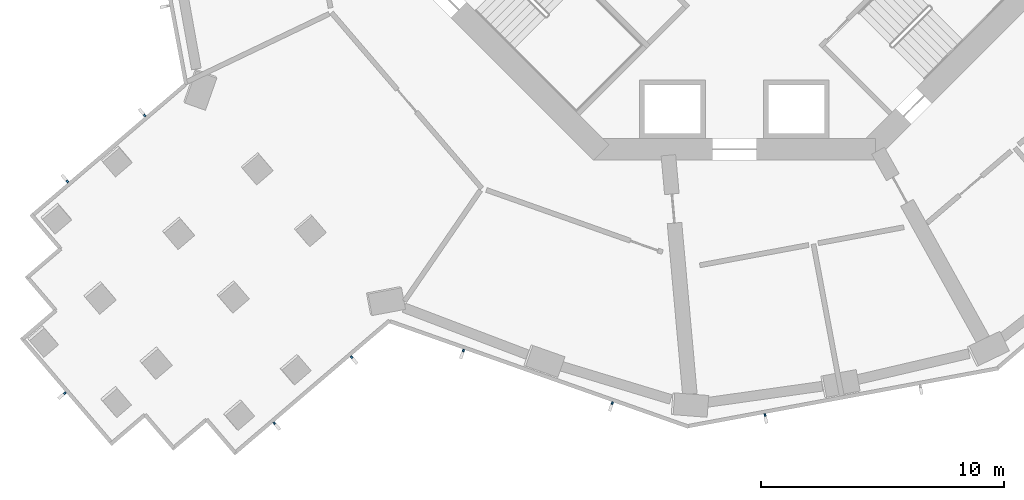
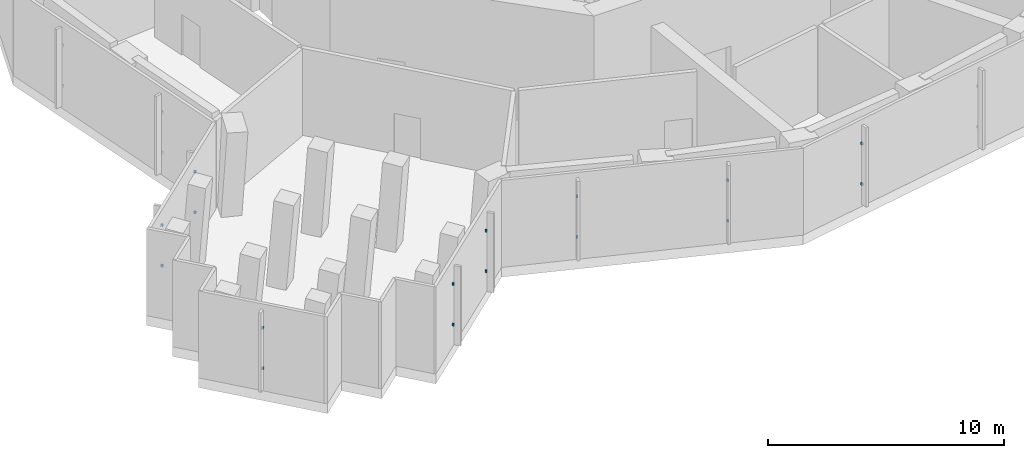
# One storey, part 6 of 20: 16 discrete accessories.
"""IFC4 building model written with IfcOpenShell, lengths in metres."""

import ifcopenshell
import ifcopenshell.guid

model = None  # the IFC model being written
_history = None  # IfcOwnerHistory: only IFC2X3 demands one
_inside = {}  # id of a spatial element -> (the spatial element, [elements in it])
_under = {}  # id of a project, library or spatial element -> (it, [spatial elements below it])
_declared = {}  # id of a project -> (the project, [libraries it declares])
_typed = {}  # id of a type object -> (the type object, [elements of that type])
_made_of = {}  # id of a material, layer set ... -> (it, [elements and type objects made of it])


def new_model(schema):
    """Start an empty IFC model of exactly this schema.

    Asked for "IFC4X3", IfcOpenShell would pick the latest addendum, in which some entities
    have other attributes; the version numbers below select the first issue.
    IFC2X3 requires an IfcOwnerHistory on every rooted entity: one is made here for all.
    """
    global model, _history
    if schema == "IFC4X3":
        model = ifcopenshell.file(schema_version=(4, 3, 0, 0))
    else:
        model = ifcopenshell.file(schema=schema)
    _inside.clear()
    _under.clear()
    _declared.clear()
    _typed.clear()
    _made_of.clear()
    _history = None
    if model.schema == "IFC2X3":
        org = make("IfcOrganization", Name="unknown")
        user = make(
            "IfcPersonAndOrganization",
            ThePerson=make("IfcPerson", FamilyName="unknown"),
            TheOrganization=org,
        )
        app = make(
            "IfcApplication",
            ApplicationDeveloper=org,
            Version="unknown",
            ApplicationFullName="unknown",
            ApplicationIdentifier="unknown",
        )
        _history = make(
            "IfcOwnerHistory",
            OwningUser=user,
            OwningApplication=app,
            ChangeAction="ADDED",
            CreationDate=0,
        )
    return model


def make(cls, **values):
    """One entity of the class cls with the attributes given. An attribute that is None is left unset."""
    return model.create_entity(
        cls, **{name: value for name, value in values.items() if value is not None}
    )


def rooted(cls, **values):
    """An entity with a GlobalId (a new one), such as an element, a storey or a relation."""
    return make(cls, GlobalId=ifcopenshell.guid.new(), OwnerHistory=_history, **values)


def si_unit(unit_type, name, prefix=None):
    """IfcSIUnit, for example si_unit("LENGTHUNIT", "METRE", prefix="MILLI")."""
    return make("IfcSIUnit", UnitType=unit_type, Prefix=prefix, Name=name)


def assignment(units):
    """IfcUnitAssignment: the units of a project."""
    return None if units is None else make("IfcUnitAssignment", Units=units)


def point(xyz):
    """IfcCartesianPoint."""
    return None if xyz is None else make("IfcCartesianPoint", Coordinates=xyz)


def direction(xyz):
    """IfcDirection."""
    return None if xyz is None else make("IfcDirection", DirectionRatios=xyz)


def frame(location, z_axis=None, x_axis=None):
    """IfcAxis2Placement3D, a coordinate frame: its origin and axes. An axis left out is left unset."""
    return make(
        "IfcAxis2Placement3D",
        Location=point(location),
        Axis=direction(z_axis),
        RefDirection=direction(x_axis),
    )


def frame_2d(location, x_axis=None):
    """IfcAxis2Placement2D, a coordinate frame in the plane: its origin and x axis."""
    return make(
        "IfcAxis2Placement2D", Location=point(location), RefDirection=direction(x_axis)
    )


def origin():
    """The frame at (0, 0, 0) with its axes left unset."""
    return frame((0.0, 0.0, 0.0))


def origin_2d():
    """The frame at (0, 0) in the plane with its x axis left unset."""
    return frame_2d((0.0, 0.0))


def place(relative_to, where):
    """IfcLocalPlacement: puts the frame where relative to a parent placement (None: the world)."""
    return make(
        "IfcLocalPlacement", PlacementRelTo=relative_to, RelativePlacement=where
    )


def context(
    kind, dimensions, precision=None, world=None, true_north=None, identifier=None
):
    """IfcGeometricRepresentationContext, for example the 3D "Model" context."""
    return make(
        "IfcGeometricRepresentationContext",
        ContextIdentifier=identifier,
        ContextType=kind,
        CoordinateSpaceDimension=dimensions,
        Precision=precision,
        WorldCoordinateSystem=world,
        TrueNorth=true_north,
    )


def subcontext(parent, identifier, kind, view, scale=None):
    """IfcGeometricRepresentationSubContext, for example "Body" below "Model"."""
    return make(
        "IfcGeometricRepresentationSubContext",
        ContextIdentifier=identifier,
        ContextType=kind,
        ParentContext=parent,
        TargetScale=scale,
        TargetView=view,
    )


def project(units=None, contexts=None):
    """IfcProject with its units and contexts."""
    return rooted(
        "IfcProject",
        Name="project",
        RepresentationContexts=contexts,
        UnitsInContext=assignment(units),
    )


def spatial(cls, under=None, at=None, **own):
    """A site, building, storey or space (cls), placed at a placement, below another one or the project."""
    s = rooted(cls, ObjectPlacement=at, **own)
    if under is not None:
        _under.setdefault(under.id(), (under, []))[1].append(s)
    return s


def profile(cls, at=None, kind="AREA", **sizes):
    """A parametric profile (cls). Its sizes go by their IFC names, for example OverallWidth=200.0."""
    return make(cls, ProfileType=kind, Position=at, **sizes)


def rectangle(**sizes):
    """IfcRectangleProfileDef."""
    return profile("IfcRectangleProfileDef", **sizes)


def extrude(swept, where, along, depth):
    """IfcExtrudedAreaSolid: the profile swept, set in the frame where, extruded along a direction by depth."""
    return make(
        "IfcExtrudedAreaSolid",
        SweptArea=swept,
        Position=where,
        ExtrudedDirection=direction(along),
        Depth=depth,
    )


def shape(context_of_items, identifier, shape_type, items):
    """IfcShapeRepresentation: the items that make up one representation, for example the "Body"."""
    return make(
        "IfcShapeRepresentation",
        ContextOfItems=context_of_items,
        RepresentationIdentifier=identifier,
        RepresentationType=shape_type,
        Items=items,
    )


def made_of(thing, what):
    """Note that an element or type object is made of a material, layer set ...; save() writes the relation."""
    if what is not None:
        _made_of.setdefault(what.id(), (what, []))[1].append(thing)
    return thing


def element(
    cls,
    number,
    at=None,
    inside=None,
    cuts=None,
    type_object=None,
    material=None,
    context=None,
    identifier="Body",
    shape_type=None,
    held_by="IfcProductDefinitionShape",
    body=None,
    shapes=None,
    **own,
):
    """One element of the class cls, such as IfcWall. Its Tag is "e" and its number.

    at: its placement. inside: the storey or other place that contains it. cuts: it is an
    opening in that element (IfcRelVoidsElement). A single representation is given by context,
    identifier, shape_type and body (its items); several are given by shapes. held_by: the class
    of the entity that holds the representations. save() writes the other relations.
    """
    e = rooted(cls, Tag="e%d" % number, ObjectPlacement=at, **own)
    if body is not None:
        shapes = [shape(context, identifier, shape_type, body)]
    if shapes is not None:
        e.Representation = make(held_by, Representations=shapes)
    if inside is not None:
        _inside.setdefault(inside.id(), (inside, []))[1].append(e)
    if cuts is not None:
        rooted(
            "IfcRelVoidsElement", RelatingBuildingElement=cuts, RelatedOpeningElement=e
        )
    if type_object is not None:
        _typed.setdefault(type_object.id(), (type_object, []))[1].append(e)
    return made_of(e, material)


def aggregate(whole, parts):
    """IfcRelAggregates: a whole, such as a stair, and the parts it consists of."""
    return rooted("IfcRelAggregates", RelatingObject=whole, RelatedObjects=parts)


def save(model, path):
    """Write the relations noted so far, then the file.

    IfcRelAggregates (storeys below a building ...), IfcRelContainedInSpatialStructure (elements
    in a storey), IfcRelDefinesByType, IfcRelAssociatesMaterial and IfcRelDeclares: one each for
    every whole, place, type object, material and project.
    """
    for whole, parts in _under.values():
        aggregate(whole, parts)
    for where, things in _inside.values():
        rooted(
            "IfcRelContainedInSpatialStructure",
            RelatedElements=things,
            RelatingStructure=where,
        )
    for kind, things in _typed.values():
        rooted("IfcRelDefinesByType", RelatedObjects=things, RelatingType=kind)
    for what, things in _made_of.values():
        rooted("IfcRelAssociatesMaterial", RelatedObjects=things, RelatingMaterial=what)
    for by, libraries in _declared.values():
        rooted("IfcRelDeclares", RelatingContext=by, RelatedDefinitions=libraries)
    model.write(path)


model = new_model("IFC4")

# Units and contexts
model_context = context("Model", 3, precision=1e-05, world=origin(), true_north=direction((0.0, 1.0)))
body_context = subcontext(model_context, "Body", "Model", "MODEL_VIEW")
ifc_project = project(units=[si_unit("LENGTHUNIT", "METRE"), si_unit("AREAUNIT", "SQUARE_METRE"), si_unit("VOLUMEUNIT", "CUBIC_METRE"), si_unit("PLANEANGLEUNIT", "RADIAN"), si_unit("MASSUNIT", "GRAM", prefix="KILO")], contexts=[model_context])

# Site, building, storey
site_placement = place(None, origin())
site = spatial("IfcSite", under=ifc_project, at=site_placement, CompositionType="ELEMENT")
building_placement = place(site_placement, origin())
building = spatial("IfcBuilding", under=site, at=building_placement, Name="Verdalira Terraces Hotel", CompositionType="ELEMENT")
storey_placement = place(building_placement, frame((0.0, 0.0, 75.0)))
storey = spatial("IfcBuildingStorey", under=building, at=storey_placement, Name="L17", CompositionType="ELEMENT", Elevation=75.0)

# Discrete accessories
for number, where, z_axis, x_axis, name in (
    (1, (-24.278564, -12.158203, 1.139893), (0.0, 0.0, 1.0), (-0.759725448, -0.650243987, 0.0), "Fin bracket"),
    (2, (-24.278564, -12.158203, 3.23999), (0.0, 0.0, 1.0), (-0.759725448, -0.650243987, 0.0), "Fin bracket"),
    (3, (-27.458008, -14.879395, 1.139893), (0.0, 0.0, 1.0), (-0.759725448, -0.650243987, 0.0), "Fin bracket"),
    (4, (-27.458008, -14.879395, 3.23999), (0.0, 0.0, 1.0), (-0.759725448, -0.650243987, 0.0), "Fin bracket"),
    (5, (-27.561523, -23.5896, 1.139893), (0.0, 0.0, 1.0), (0.650243987, -0.759725448, 0.0), "Fin bracket"),
    (6, (-27.561523, -23.5896, 3.23999), (0.0, 0.0, 1.0), (0.650243987, -0.759725448, 0.0), "Fin bracket"),
    (7, (-18.939697, -24.831787, 1.139893), (0.0, 0.0, 1.0), (0.759725448, 0.650243987, 0.0), "Fin bracket"),
    (8, (-18.939697, -24.831787, 3.23999), (0.0, 0.0, 1.0), (0.759725448, 0.650243987, 0.0), "Fin bracket"),
    (9, (-15.760254, -22.110596, 1.139893), (0.0, 0.0, 1.0), (0.759725448, 0.650243987, 0.0), "Fin bracket"),
    (10, (-15.760254, -22.110596, 3.23999), (0.0, 0.0, 1.0), (0.759725448, 0.650243987, 0.0), "Fin bracket"),
    (11, (-11.155029, -21.84082, 1.139893), (0.0, 0.0, 1.0), (0.942990536, -0.332819545, 0.0), "Fin bracket"),
    (12, (-11.155029, -21.84082, 3.23999), (0.0, 0.0, 1.0), (0.942990536, -0.332819545, 0.0), "Fin bracket"),
    (13, (-5.025635, -24.00415, 1.139893), (0.0, 0.0, 1.0), (0.942990536, -0.332819545, 0.0), "Fin bracket"),
    (14, (-5.025635, -24.00415, 3.23999), (0.0, 0.0, 1.0), (0.942990536, -0.332819545, 0.0), "Fin bracket"),
    (15, (1.26001, -24.492188, 1.139893), (0.0, 0.0, 1.0), (0.983063532, 0.183265088, 0.0), "Fin bracket"),
    (16, (1.26001, -24.492188, 3.23999), (0.0, 0.0, 1.0), (0.983063532, 0.183265088, 0.0), "Fin bracket"),
):
    element("IfcDiscreteAccessory", number, at=place(storey_placement, frame(where, z_axis=z_axis, x_axis=x_axis)), inside=storey, Name=name, PredefinedType="BRACKET", context=body_context, shape_type="SweptSolid", body=[
        extrude(rectangle(XDim=0.080078, YDim=0.100098, at=origin_2d()), origin(), (0.0, 0.0, 1.0), 0.120117),
    ])

save(model, "model.ifc")
